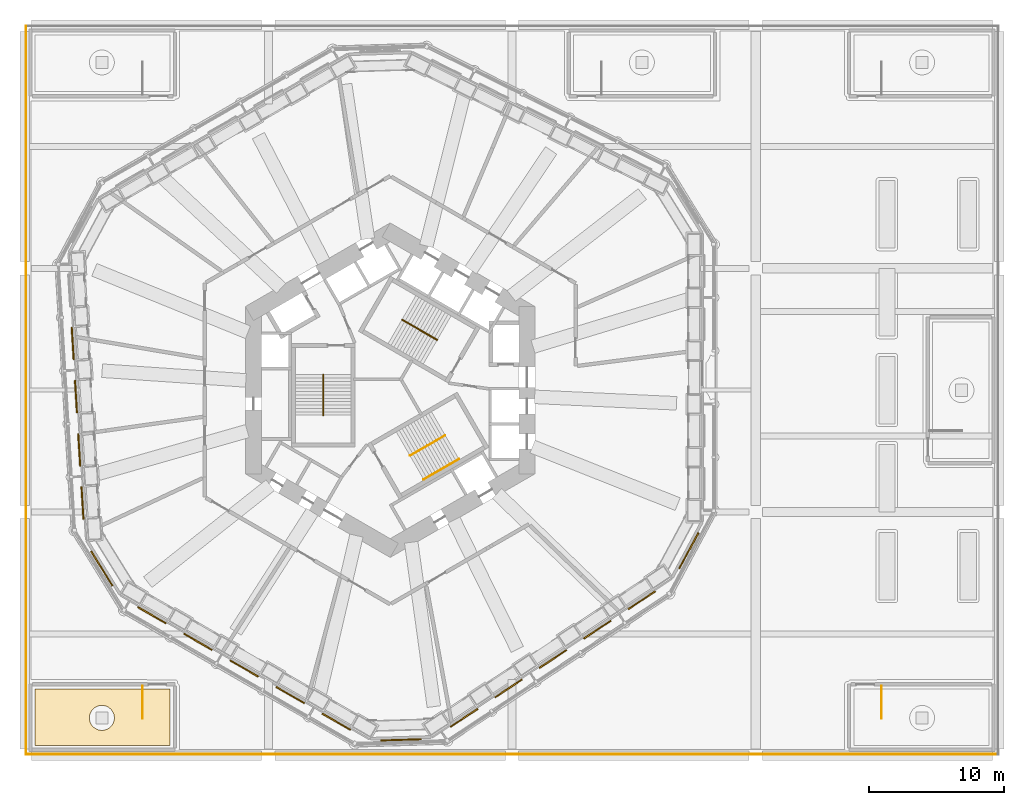
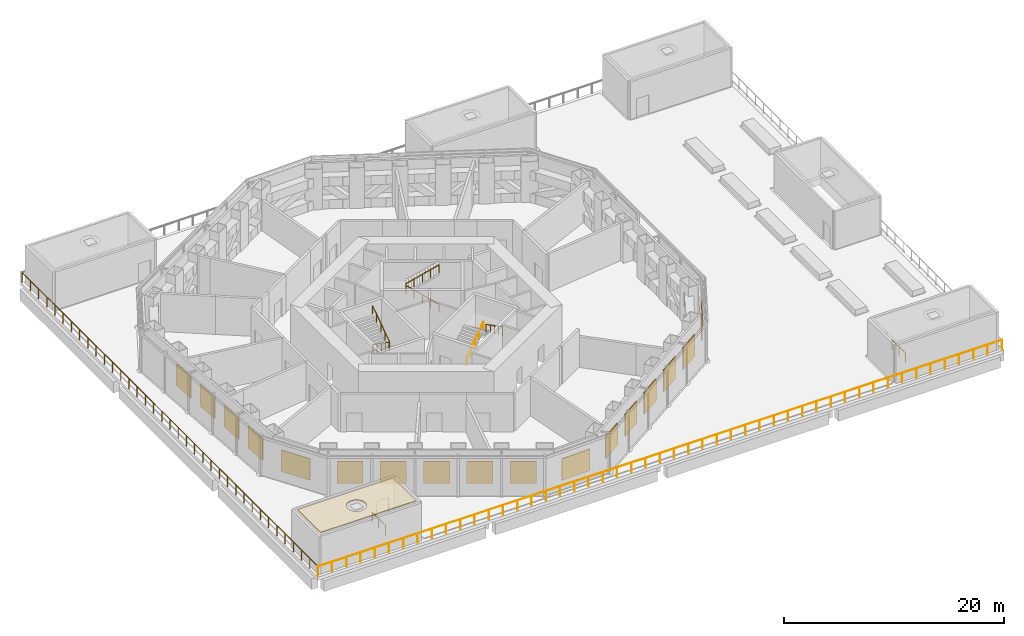
# One storey, part 17 of 20: 17 shading devices, 8 railings, 1 covering.
"""IFC4 building model written with IfcOpenShell, lengths in metres."""

from ifc_helpers import new_model, si_unit, direction, frame, origin, origin_2d, place, context, subcontext, project, spatial, polyline, rectangle, circle, outline, extrude, material, layer, layer_set, type_object, element, save


model = new_model("IFC4")

# Units and contexts
model_context = context("Model", 3, precision=1e-05, world=origin(), true_north=direction((0.0, 1.0)))
body_context = subcontext(model_context, "Body", "Model", "MODEL_VIEW")
ifc_project = project(units=[si_unit("LENGTHUNIT", "METRE"), si_unit("AREAUNIT", "SQUARE_METRE"), si_unit("VOLUMEUNIT", "CUBIC_METRE"), si_unit("PLANEANGLEUNIT", "RADIAN"), si_unit("MASSUNIT", "GRAM", prefix="KILO")], contexts=[model_context])

# Site, building, storey
site_placement = place(None, origin())
site = spatial("IfcSite", under=ifc_project, at=site_placement, CompositionType="ELEMENT")
building_placement = place(site_placement, origin())
building = spatial("IfcBuilding", under=site, at=building_placement, Name="Vanh Sen Convention Tower", CompositionType="ELEMENT")
storey_placement = place(building_placement, frame((0.0, 0.0, 34.5)))
storey = spatial("IfcBuildingStorey", under=building, at=storey_placement, Name="L05", CompositionType="ELEMENT", Elevation=34.5)

# Shading devices
ifc_material_1 = material(Name="Aluminium fixed louvre", Category="aluminium")
ifc_layer_1 = layer(ifc_material_1, 0.10009765625)
ifc_layer_set_1 = layer_set([ifc_layer_1], Name="Aluminium fixed louvre")
shading_device_type_1 = type_object("IfcShadingDeviceType", Name="Fixed louvre band 2400 x 2400", PredefinedType="USERDEFINED", material=ifc_layer_set_1)
for number, where, z_axis, x_axis, name in (
    (1, (-23.4541015625, 3.4462890625, 0.900146484375), (0.0, 0.0, 1.0), (0.061048539535, -0.998134798422, 0.0), "Fixed louvre band LV1-W2"),
    (2, (-23.2138671875, -0.480712890625, 0.900146484375), (0.0, 0.0, 1.0), (0.061048539535, -0.998134798422, 0.0), "Fixed louvre band LV1-W3"),
    (3, (-22.9736328125, -4.408203125, 0.900146484375), (0.0, 0.0, 1.0), (0.061048539535, -0.998134798422, 0.0), "Fixed louvre band LV1-W4"),
    (4, (-22.7333984375, -8.33544921875, 0.900146484375), (0.0, 0.0, 1.0), (0.061048539535, -0.998134798422, 0.0), "Fixed louvre band LV1-W5"),
    (5, (-17.603271484375, -16.625732421875, 0.900146484375), (0.0, 0.0, 1.0), (0.866027149108, -0.499996976998, 0.0), "Fixed louvre band LV1-SW1"),
    (6, (-14.19580078125, -18.593017578125, 0.900146484375), (0.0, 0.0, 1.0), (0.866027149108, -0.499996976998, 0.0), "Fixed louvre band LV1-SW2"),
    (7, (-10.788330078125, -20.560302734375, 0.900146484375), (0.0, 0.0, 1.0), (0.866027149108, -0.499996976998, 0.0), "Fixed louvre band LV1-SW3"),
    (8, (-7.380859375, -22.527587890625, 0.900146484375), (0.0, 0.0, 1.0), (0.866027149108, -0.499996976998, 0.0), "Fixed louvre band LV1-SW4"),
    (9, (-3.973388671875, -24.4951171875, 0.900146484375), (0.0, 0.0, 1.0), (0.866027149108, -0.499996976998, 0.0), "Fixed louvre band LV1-SW5"),
    (10, (5.46142578125, -24.206787109375, 0.900146484375), (0.0, 0.0, 1.0), (0.833885822067, 0.551936985312, 0.0), "Fixed louvre band LV1-SE1"),
    (11, (8.7421875, -22.03515625, 0.900146484375), (0.0, 0.0, 1.0), (0.833885822067, 0.551936985312, 0.0), "Fixed louvre band LV1-SE2"),
    (12, (12.023193359375, -19.863525390625, 0.900146484375), (0.0, 0.0, 1.0), (0.833885822067, 0.551936985312, 0.0), "Fixed louvre band LV1-SE3"),
    (13, (15.30419921875, -17.69189453125, 0.900146484375), (0.0, 0.0, 1.0), (0.833885822067, 0.551936985312, 0.0), "Fixed louvre band LV1-SE4"),
    (14, (18.585205078125, -15.520263671875, 0.900146484375), (0.0, 0.0, 1.0), (0.833885822067, 0.551936985312, 0.0), "Fixed louvre band LV1-SE5"),
):
    element("IfcShadingDevice", number, at=place(storey_placement, frame(where, z_axis=z_axis, x_axis=x_axis)), inside=storey, type_object=shading_device_type_1, Name=name, ObjectType="LOUVRE", PredefinedType="USERDEFINED", context=body_context, shape_type="SweptSolid", body=[
        extrude(rectangle(XDim=2.39990234375, YDim=0.10009765625, at=origin_2d()), origin(), (0.0, 0.0, 1.0), 2.39990234375),
    ])
ifc_layer_2 = layer(ifc_material_1, 0.10009765625)
ifc_layer_set_2 = layer_set([ifc_layer_2], Name="Aluminium fixed louvre")
shading_device_type_2 = type_object("IfcShadingDeviceType", Name="Fixed louvre band 3000 x 2400", PredefinedType="USERDEFINED", material=ifc_layer_set_2)
for number, where, z_axis, x_axis, name in (
    (15, (-21.302490234375, -13.182373046875, 0.900146484375), (0.0, 0.0, 1.0), (0.526215407796, -0.850351306578, 0.0), "Fixed louvre band LV2-CH41"),
    (16, (0.789306640625, -25.836181640625, 0.900146484375), (0.0, 0.0, 1.0), (0.999533644135, 0.030536768695, 0.0), "Fixed louvre band LV2-CH51"),
    (17, (22.0673828125, -11.857421875, 0.900146484375), (0.0, 0.0, 1.0), (0.47331812974, 0.880891564303, 0.0), "Fixed louvre band LV2-CH61"),
):
    element("IfcShadingDevice", number, at=place(storey_placement, frame(where, z_axis=z_axis, x_axis=x_axis)), inside=storey, type_object=shading_device_type_2, Name=name, ObjectType="LOUVRE", PredefinedType="USERDEFINED", context=body_context, shape_type="SweptSolid", body=[
        extrude(rectangle(XDim=3.0, YDim=0.10009765625, at=origin_2d()), origin(), (0.0, 0.0, 1.0), 2.39990234375),
    ])

# Railings
ifc_material_2 = material(Name="Stainless steel", Category="steel")
railing_type_1 = type_object("IfcRailingType", Name="Podium stair guard 1100", PredefinedType="GUARDRAIL", material=ifc_material_2)
for number, where, name in (
    (18, (36.300048828125, -21.85009765625, 0.0), "Guard PS2 L05"),
    (19, (-18.300048828125, -21.85009765625, 0.0), "Guard PS6 L05"),
):
    element("IfcRailing", number, at=place(storey_placement, frame(where)), inside=storey, type_object=railing_type_1, Name=name, PredefinedType="GUARDRAIL", context=body_context, shape_type="SweptSolid", body=[
        extrude(circle(Radius=0.02392578125, at=origin_2d()), frame((0.0, 0.0, 1.076171875), z_axis=(0.0, -1.0, 0.0), x_axis=(1.0, 0.0, 0.0)), (0.0, 0.0, 1.0), 2.39990234375),
        extrude(circle(Radius=0.02099609375, at=origin_2d()), origin(), (0.0, 0.0, 1.0), 1.052001953125),
        extrude(circle(Radius=0.02099609375, at=origin_2d()), frame((0.0, -1.199951171875, 0.0)), (0.0, 0.0, 1.0), 1.052001953125),
        extrude(circle(Radius=0.02099609375, at=origin_2d()), frame((0.0, -2.39990234375, 0.0)), (0.0, 0.0, 1.0), 1.052001953125),
    ])

# Covering
ifc_material_3 = material(Name="Bituminous roof membrane on rigid insulation")
ifc_layer_3 = layer(ifc_material_3, 0.090087890625)
ifc_layer_set_3 = layer_set([ifc_layer_3], Name="Bituminous roof membrane on rigid insulation")
covering_type = type_object("IfcCoveringType", Name="Roof membrane and insulation 90", PredefinedType="ROOFING", material=ifc_layer_set_3)
covering_placement = place(storey_placement, frame((0.0, 0.0, 4.199951171875)))
element("IfcCovering", 20, at=covering_placement, inside=storey, type_object=covering_type, Name="Roof covering RC1", PredefinedType="ROOFING", context=body_context, shape_type="SweptSolid", body=[
    extrude(outline(polyline([(-16.25, -22.074951171875), (-26.25, -22.074951171875), (-26.25, -26.25), (-16.25, -26.25), (-16.25, -22.074951171875)]), holes=[polyline([(-20.422607421875, -24.489013671875), (-20.4169921875, -24.47021484375), (-20.39990234375, -24.401611328125), (-20.39599609375, -24.38232421875), (-20.385498046875, -24.3125), (-20.3837890625, -24.29296875), (-20.380126953125, -24.222412109375), (-20.380126953125, -24.20263671875), (-20.3837890625, -24.132080078125), (-20.385498046875, -24.112548828125), (-20.39599609375, -24.042724609375), (-20.39990234375, -24.0234375), (-20.4169921875, -23.954833984375), (-20.422607421875, -23.93603515625), (-20.446533203125, -23.86962890625), (-20.4541015625, -23.8515625), (-20.484130859375, -23.78759765625), (-20.493408203125, -23.770263671875), (-20.52978515625, -23.709716796875), (-20.540771484375, -23.693359375), (-20.582763671875, -23.63671875), (-20.59521484375, -23.621337890625), (-20.642578125, -23.569091796875), (-20.656494140625, -23.55517578125), (-20.708984375, -23.5078125), (-20.72412109375, -23.495361328125), (-20.78076171875, -23.453125), (-20.797119140625, -23.4423828125), (-20.85791015625, -23.406005859375), (-20.875, -23.396728515625), (-20.93896484375, -23.366455078125), (-20.95703125, -23.35888671875), (-21.023681640625, -23.335205078125), (-21.04248046875, -23.32958984375), (-21.11083984375, -23.312255859375), (-21.130126953125, -23.30859375), (-21.2001953125, -23.298095703125), (-21.219482421875, -23.296142578125), (-21.290283203125, -23.292724609375), (-21.309814453125, -23.292724609375), (-21.38037109375, -23.296142578125), (-21.39990234375, -23.298095703125), (-21.4697265625, -23.30859375), (-21.489013671875, -23.312255859375), (-21.5576171875, -23.32958984375), (-21.576416015625, -23.335205078125), (-21.642822265625, -23.35888671875), (-21.660888671875, -23.366455078125), (-21.724853515625, -23.396728515625), (-21.7421875, -23.406005859375), (-21.802734375, -23.4423828125), (-21.819091796875, -23.453125), (-21.8759765625, -23.495361328125), (-21.89111328125, -23.5078125), (-21.943359375, -23.55517578125), (-21.957275390625, -23.569091796875), (-22.0048828125, -23.621337890625), (-22.01708984375, -23.63671875), (-22.059326171875, -23.693359375), (-22.0703125, -23.709716796875), (-22.1064453125, -23.770263671875), (-22.11572265625, -23.78759765625), (-22.14599609375, -23.8515625), (-22.153564453125, -23.86962890625), (-22.17724609375, -23.93603515625), (-22.18310546875, -23.954833984375), (-22.2001953125, -24.0234375), (-22.2041015625, -24.042724609375), (-22.21435546875, -24.112548828125), (-22.21630859375, -24.132080078125), (-22.2197265625, -24.20263671875), (-22.2197265625, -24.222412109375), (-22.21630859375, -24.29296875), (-22.21435546875, -24.3125), (-22.2041015625, -24.38232421875), (-22.2001953125, -24.401611328125), (-22.18310546875, -24.47021484375), (-22.17724609375, -24.489013671875), (-22.153564453125, -24.555419921875), (-22.14599609375, -24.573486328125), (-22.11572265625, -24.637451171875), (-22.1064453125, -24.65478515625), (-22.0703125, -24.71533203125), (-22.059326171875, -24.731689453125), (-22.01708984375, -24.788330078125), (-22.0048828125, -24.8037109375), (-21.957275390625, -24.85595703125), (-21.943359375, -24.869873046875), (-21.89111328125, -24.917236328125), (-21.8759765625, -24.9296875), (-21.819091796875, -24.9716796875), (-21.802734375, -24.982666015625), (-21.7421875, -25.01904296875), (-21.724853515625, -25.0283203125), (-21.660888671875, -25.05859375), (-21.642822265625, -25.06591796875), (-21.576416015625, -25.08984375), (-21.5576171875, -25.095458984375), (-21.489013671875, -25.11279296875), (-21.4697265625, -25.116455078125), (-21.39990234375, -25.126953125), (-21.38037109375, -25.12890625), (-21.309814453125, -25.13232421875), (-21.290283203125, -25.13232421875), (-21.219482421875, -25.12890625), (-21.2001953125, -25.126953125), (-21.130126953125, -25.116455078125), (-21.11083984375, -25.11279296875), (-21.04248046875, -25.095458984375), (-21.023681640625, -25.08984375), (-20.95703125, -25.06591796875), (-20.93896484375, -25.05859375), (-20.875, -25.0283203125), (-20.85791015625, -25.01904296875), (-20.797119140625, -24.982666015625), (-20.78076171875, -24.9716796875), (-20.72412109375, -24.9296875), (-20.708984375, -24.917236328125), (-20.656494140625, -24.869873046875), (-20.642578125, -24.85595703125), (-20.59521484375, -24.8037109375), (-20.582763671875, -24.788330078125), (-20.540771484375, -24.731689453125), (-20.52978515625, -24.71533203125), (-20.493408203125, -24.65478515625), (-20.484130859375, -24.637451171875), (-20.4541015625, -24.573486328125), (-20.446533203125, -24.555419921875), (-20.422607421875, -24.489013671875)])]), origin(), (0.0, 0.0, 1.0), 0.090087890625),
])

# Railings
ifc_material_4 = material(Name="Stainless steel handrail", Category="steel")
railing_type_2 = type_object("IfcRailingType", Name="Stair handrail 900", PredefinedType="HANDRAIL", material=ifc_material_4)
railing_1_placement = place(storey_placement, frame((3.45849609375, 3.690185546875, 0.173095703125)))
element("IfcRailing", 21, at=railing_1_placement, inside=storey, type_object=railing_type_2, Name="Stair handrail ST1 L05", PredefinedType="HANDRAIL", context=body_context, shape_type="SweptSolid", body=[
    extrude(circle(Radius=0.02392578125, at=origin_2d()), frame((0.0, 0.0, 0.8759765625), z_axis=(-0.712050641542, 0.41109181936, 0.569198910693), x_axis=(-0.499990139034, -0.866031096941, 0.0)), (0.0, 0.0, 1.0), 3.64892578125),
    extrude(circle(Radius=0.02392578125, at=origin_2d()), frame((-2.59814453125, 1.5, 2.95263671875), z_axis=(0.502959906984, 0.86430974307, 0.0), x_axis=(-0.86430974307, 0.502959906984, 0.0)), (0.0, 0.0, 1.0), 0.050048828125),
    extrude(circle(Radius=0.02392578125, at=origin_2d()), frame((-2.572998046875, 1.543212890625, 2.95263671875), z_axis=(0.0, 0.0, 1.0), x_axis=(1.0, 0.0, 0.0)), (0.0, 0.0, 1.0), 0.173095703125),
    extrude(circle(Radius=0.02392578125, at=origin_2d()), frame((-2.572998046875, 1.543212890625, 3.1259765625), z_axis=(0.712017653891, -0.411111405461, 0.569226029664), x_axis=(0.50002537861, 0.866010750942, 0.0)), (0.0, 0.0, 1.0), 3.648681640625),
    extrude(circle(Radius=0.02099609375, at=origin_2d()), origin(), (0.0, 0.0, 1.0), 0.851806640625),
    extrude(circle(Radius=0.02099609375, at=origin_2d()), frame((-0.6494140625, 0.375, 0.519287109375)), (0.0, 0.0, 1.0), 0.851806640625),
    extrude(circle(Radius=0.02099609375, at=origin_2d()), frame((-1.299072265625, 0.75, 1.03857421875)), (0.0, 0.0, 1.0), 0.851806640625),
    extrude(circle(Radius=0.02099609375, at=origin_2d()), frame((-1.94873046875, 1.125, 1.5576171875)), (0.0, 0.0, 1.0), 0.851806640625),
    extrude(circle(Radius=0.02099609375, at=origin_2d()), frame((-2.59814453125, 1.5, 2.076904296875)), (0.0, 0.0, 1.0), 0.851806640625),
    extrude(circle(Radius=0.02099609375, at=origin_2d()), frame((-2.572998046875, 1.543212890625, 2.076904296875)), (0.0, 0.0, 1.0), 0.851806640625),
    extrude(circle(Radius=0.02099609375, at=origin_2d()), frame((-2.572998046875, 1.543212890625, 2.25)), (0.0, 0.0, 1.0), 0.851806640625),
    extrude(circle(Radius=0.02099609375, at=origin_2d()), frame((-1.923583984375, 1.168212890625, 2.769287109375)), (0.0, 0.0, 1.0), 0.851806640625),
    extrude(circle(Radius=0.02099609375, at=origin_2d()), frame((-1.27392578125, 0.793212890625, 3.28857421875)), (0.0, 0.0, 1.0), 0.851806640625),
    extrude(circle(Radius=0.02099609375, at=origin_2d()), frame((-0.62451171875, 0.418212890625, 3.8076171875)), (0.0, 0.0, 1.0), 0.851806640625),
    extrude(circle(Radius=0.02099609375, at=origin_2d()), frame((0.02490234375, 0.043212890625, 4.326904296875)), (0.0, 0.0, 1.0), 0.851806640625),
])
railing_2_placement = place(storey_placement, frame((-4.925048828125, 1.14990234375, 0.173095703125)))
element("IfcRailing", 22, at=railing_2_placement, inside=storey, type_object=railing_type_2, Name="Stair handrail ST2 L05", PredefinedType="HANDRAIL", context=body_context, shape_type="SweptSolid", body=[
    extrude(circle(Radius=0.02392578125, at=origin_2d()), frame((0.0, 0.0, 0.8759765625), z_axis=(0.0, -0.82219460041, 0.569206499486), x_axis=(1.0, 0.0, 0.0)), (0.0, 0.0, 1.0), 3.648681640625),
    extrude(circle(Radius=0.02392578125, at=origin_2d()), frame((0.0, -3.0, 2.95263671875), z_axis=(-1.0, 0.0, 0.0), x_axis=(0.0, -1.0, 0.0)), (0.0, 0.0, 1.0), 0.050048828125),
    extrude(circle(Radius=0.02392578125, at=origin_2d()), frame((-0.050048828125, -3.0, 2.95263671875), z_axis=(0.0, 0.0, 1.0), x_axis=(1.0, 0.0, 0.0)), (0.0, 0.0, 1.0), 0.173095703125),
    extrude(circle(Radius=0.02392578125, at=origin_2d()), frame((-0.050048828125, -3.0, 3.1259765625), z_axis=(0.0, 0.82219460041, 0.569206499486), x_axis=(-1.0, 0.0, 0.0)), (0.0, 0.0, 1.0), 3.648681640625),
    extrude(circle(Radius=0.02099609375, at=origin_2d()), origin(), (0.0, 0.0, 1.0), 0.851806640625),
    extrude(circle(Radius=0.02099609375, at=origin_2d()), frame((0.0, -0.75, 0.519287109375)), (0.0, 0.0, 1.0), 0.851806640625),
    extrude(circle(Radius=0.02099609375, at=origin_2d()), frame((0.0, -1.5, 1.03857421875)), (0.0, 0.0, 1.0), 0.851806640625),
    extrude(circle(Radius=0.02099609375, at=origin_2d()), frame((0.0, -2.25, 1.5576171875)), (0.0, 0.0, 1.0), 0.851806640625),
    extrude(circle(Radius=0.02099609375, at=origin_2d()), frame((0.0, -3.0, 2.076904296875)), (0.0, 0.0, 1.0), 0.851806640625),
    extrude(circle(Radius=0.02099609375, at=origin_2d()), frame((-0.050048828125, -3.0, 2.076904296875)), (0.0, 0.0, 1.0), 0.851806640625),
    extrude(circle(Radius=0.02099609375, at=origin_2d()), frame((-0.050048828125, -3.0, 2.25)), (0.0, 0.0, 1.0), 0.851806640625),
    extrude(circle(Radius=0.02099609375, at=origin_2d()), frame((-0.050048828125, -2.25, 2.769287109375)), (0.0, 0.0, 1.0), 0.851806640625),
    extrude(circle(Radius=0.02099609375, at=origin_2d()), frame((-0.050048828125, -1.5, 3.28857421875)), (0.0, 0.0, 1.0), 0.851806640625),
    extrude(circle(Radius=0.02099609375, at=origin_2d()), frame((-0.050048828125, -0.75, 3.8076171875)), (0.0, 0.0, 1.0), 0.851806640625),
    extrude(circle(Radius=0.02099609375, at=origin_2d()), frame((-0.050048828125, 0.0, 4.326904296875)), (0.0, 0.0, 1.0), 0.851806640625),
])
railing_3_placement = place(storey_placement, frame((1.466552734375, -4.840087890625, 0.173095703125)))
element("IfcRailing", 23, at=railing_3_placement, inside=storey, type_object=railing_type_2, Name="Stair handrail ST3 L05", PredefinedType="HANDRAIL", context=body_context, shape_type="SweptSolid", body=[
    extrude(circle(Radius=0.02392578125, at=origin_2d()), frame((0.0, 0.0, 0.8759765625), z_axis=(0.712050641542, 0.41109181936, 0.569198910693), x_axis=(-0.499990139034, 0.866031096941, 0.0)), (0.0, 0.0, 1.0), 3.64892578125),
    extrude(circle(Radius=0.02099609375, at=origin_2d()), origin(), (0.0, 0.0, 1.0), 0.851806640625),
    extrude(circle(Radius=0.02099609375, at=origin_2d()), frame((0.6494140625, 0.375, 0.519287109375)), (0.0, 0.0, 1.0), 0.851806640625),
    extrude(circle(Radius=0.02099609375, at=origin_2d()), frame((1.299072265625, 0.75, 1.03857421875)), (0.0, 0.0, 1.0), 0.851806640625),
    extrude(circle(Radius=0.02099609375, at=origin_2d()), frame((1.94873046875, 1.125, 1.5576171875)), (0.0, 0.0, 1.0), 0.851806640625),
    extrude(circle(Radius=0.02099609375, at=origin_2d()), frame((2.59814453125, 1.5, 2.076904296875)), (0.0, 0.0, 1.0), 0.851806640625),
])
railing_4_placement = place(storey_placement, frame((5.0771484375, -5.093994140625, 2.25)))
element("IfcRailing", 24, at=railing_4_placement, inside=storey, type_object=railing_type_2, Name="Stair wall handrail ST3 L05", PredefinedType="HANDRAIL", context=body_context, shape_type="SweptSolid", body=[
    extrude(circle(Radius=0.02392578125, at=origin_2d()), frame((0.0, 0.0, 0.8759765625), z_axis=(0.0, 0.0, 1.0), x_axis=(1.0, 0.0, 0.0)), (0.0, 0.0, 1.0), 0.173095703125),
    extrude(circle(Radius=0.02392578125, at=origin_2d()), frame((0.0, 0.0, 1.048828125), z_axis=(-0.712050641542, -0.41109181936, 0.569198910693), x_axis=(0.499990139034, -0.866031096941, 0.0)), (0.0, 0.0, 1.0), 3.64892578125),
    extrude(circle(Radius=0.02099609375, at=origin_2d()), origin(), (0.0, 0.0, 1.0), 0.851806640625),
    extrude(circle(Radius=0.02099609375, at=origin_2d()), frame((0.0, 0.0, 0.173095703125)), (0.0, 0.0, 1.0), 0.851806640625),
    extrude(circle(Radius=0.02099609375, at=origin_2d()), frame((-0.6494140625, -0.375, 0.6923828125)), (0.0, 0.0, 1.0), 0.851806640625),
    extrude(circle(Radius=0.02099609375, at=origin_2d()), frame((-1.299072265625, -0.75, 1.21142578125)), (0.0, 0.0, 1.0), 0.851806640625),
    extrude(circle(Radius=0.02099609375, at=origin_2d()), frame((-1.94873046875, -1.125, 1.730712890625)), (0.0, 0.0, 1.0), 0.851806640625),
    extrude(circle(Radius=0.02099609375, at=origin_2d()), frame((-2.59814453125, -1.5, 2.25)), (0.0, 0.0, 1.0), 0.851806640625),
])
ifc_material_5 = material(Name="Stainless steel posts with toughened glass infill", Category="steel")
railing_type_3 = type_object("IfcRailingType", Name="Terrace guard 1150", PredefinedType="GUARDRAIL", material=ifc_material_5)
railing_5_placement = place(storey_placement, frame((-26.89990234375, -26.89990234375, 0.0)))
element("IfcRailing", 25, at=railing_5_placement, inside=storey, type_object=railing_type_3, Name="Terrace guard S L05", PredefinedType="GUARDRAIL", context=body_context, shape_type="SweptSolid", body=[
    extrude(circle(Radius=0.02392578125, at=origin_2d()), frame((0.0, 0.0, 1.1259765625), z_axis=(1.0, 0.0, 0.0), x_axis=(0.0, 1.0, 0.0)), (0.0, 0.0, 1.0), 71.7998046875),
    extrude(circle(Radius=0.02099609375, at=origin_2d()), origin(), (0.0, 0.0, 1.0), 1.101806640625),
    extrude(circle(Radius=0.02099609375, at=origin_2d()), frame((1.495849609375, 0.0, 0.0)), (0.0, 0.0, 1.0), 1.101806640625),
    extrude(circle(Radius=0.02099609375, at=origin_2d()), frame((2.99169921875, 0.0, 0.0)), (0.0, 0.0, 1.0), 1.101806640625),
    extrude(circle(Radius=0.02099609375, at=origin_2d()), frame((4.487548828125, 0.0, 0.0)), (0.0, 0.0, 1.0), 1.101806640625),
    extrude(circle(Radius=0.02099609375, at=origin_2d()), frame((5.9833984375, 0.0, 0.0)), (0.0, 0.0, 1.0), 1.101806640625),
    extrude(circle(Radius=0.02099609375, at=origin_2d()), frame((7.479248046875, 0.0, 0.0)), (0.0, 0.0, 1.0), 1.101806640625),
    extrude(circle(Radius=0.02099609375, at=origin_2d()), frame((8.97509765625, 0.0, 0.0)), (0.0, 0.0, 1.0), 1.101806640625),
    extrude(circle(Radius=0.02099609375, at=origin_2d()), frame((10.470703125, 0.0, 0.0)), (0.0, 0.0, 1.0), 1.101806640625),
    extrude(circle(Radius=0.02099609375, at=origin_2d()), frame((11.966552734375, 0.0, 0.0)), (0.0, 0.0, 1.0), 1.101806640625),
    extrude(circle(Radius=0.02099609375, at=origin_2d()), frame((13.46240234375, 0.0, 0.0)), (0.0, 0.0, 1.0), 1.101806640625),
    extrude(circle(Radius=0.02099609375, at=origin_2d()), frame((14.958251953125, 0.0, 0.0)), (0.0, 0.0, 1.0), 1.101806640625),
    extrude(circle(Radius=0.02099609375, at=origin_2d()), frame((16.4541015625, 0.0, 0.0)), (0.0, 0.0, 1.0), 1.101806640625),
    extrude(circle(Radius=0.02099609375, at=origin_2d()), frame((17.949951171875, 0.0, 0.0)), (0.0, 0.0, 1.0), 1.101806640625),
    extrude(circle(Radius=0.02099609375, at=origin_2d()), frame((19.44580078125, 0.0, 0.0)), (0.0, 0.0, 1.0), 1.101806640625),
    extrude(circle(Radius=0.02099609375, at=origin_2d()), frame((20.941650390625, 0.0, 0.0)), (0.0, 0.0, 1.0), 1.101806640625),
    extrude(circle(Radius=0.02099609375, at=origin_2d()), frame((22.4375, 0.0, 0.0)), (0.0, 0.0, 1.0), 1.101806640625),
    extrude(circle(Radius=0.02099609375, at=origin_2d()), frame((23.933349609375, 0.0, 0.0)), (0.0, 0.0, 1.0), 1.101806640625),
    extrude(circle(Radius=0.02099609375, at=origin_2d()), frame((25.42919921875, 0.0, 0.0)), (0.0, 0.0, 1.0), 1.101806640625),
    extrude(circle(Radius=0.02099609375, at=origin_2d()), frame((26.9248046875, 0.0, 0.0)), (0.0, 0.0, 1.0), 1.101806640625),
    extrude(circle(Radius=0.02099609375, at=origin_2d()), frame((28.420654296875, 0.0, 0.0)), (0.0, 0.0, 1.0), 1.101806640625),
    extrude(circle(Radius=0.02099609375, at=origin_2d()), frame((29.91650390625, 0.0, 0.0)), (0.0, 0.0, 1.0), 1.101806640625),
    extrude(circle(Radius=0.02099609375, at=origin_2d()), frame((31.412353515625, 0.0, 0.0)), (0.0, 0.0, 1.0), 1.101806640625),
    extrude(circle(Radius=0.02099609375, at=origin_2d()), frame((32.908203125, 0.0, 0.0)), (0.0, 0.0, 1.0), 1.101806640625),
    extrude(circle(Radius=0.02099609375, at=origin_2d()), frame((34.404052734375, 0.0, 0.0)), (0.0, 0.0, 1.0), 1.101806640625),
    extrude(circle(Radius=0.02099609375, at=origin_2d()), frame((35.89990234375, 0.0, 0.0)), (0.0, 0.0, 1.0), 1.101806640625),
    extrude(circle(Radius=0.02099609375, at=origin_2d()), frame((37.395751953125, 0.0, 0.0)), (0.0, 0.0, 1.0), 1.101806640625),
    extrude(circle(Radius=0.02099609375, at=origin_2d()), frame((38.8916015625, 0.0, 0.0)), (0.0, 0.0, 1.0), 1.101806640625),
    extrude(circle(Radius=0.02099609375, at=origin_2d()), frame((40.387451171875, 0.0, 0.0)), (0.0, 0.0, 1.0), 1.101806640625),
    extrude(circle(Radius=0.02099609375, at=origin_2d()), frame((41.88330078125, 0.0, 0.0)), (0.0, 0.0, 1.0), 1.101806640625),
    extrude(circle(Radius=0.02099609375, at=origin_2d()), frame((43.379150390625, 0.0, 0.0)), (0.0, 0.0, 1.0), 1.101806640625),
    extrude(circle(Radius=0.02099609375, at=origin_2d()), frame((44.875, 0.0, 0.0)), (0.0, 0.0, 1.0), 1.101806640625),
    extrude(circle(Radius=0.02099609375, at=origin_2d()), frame((46.37060546875, 0.0, 0.0)), (0.0, 0.0, 1.0), 1.101806640625),
    extrude(circle(Radius=0.02099609375, at=origin_2d()), frame((47.866455078125, 0.0, 0.0)), (0.0, 0.0, 1.0), 1.101806640625),
    extrude(circle(Radius=0.02099609375, at=origin_2d()), frame((49.3623046875, 0.0, 0.0)), (0.0, 0.0, 1.0), 1.101806640625),
    extrude(circle(Radius=0.02099609375, at=origin_2d()), frame((50.858154296875, 0.0, 0.0)), (0.0, 0.0, 1.0), 1.101806640625),
    extrude(circle(Radius=0.02099609375, at=origin_2d()), frame((52.35400390625, 0.0, 0.0)), (0.0, 0.0, 1.0), 1.101806640625),
    extrude(circle(Radius=0.02099609375, at=origin_2d()), frame((53.849853515625, 0.0, 0.0)), (0.0, 0.0, 1.0), 1.101806640625),
    extrude(circle(Radius=0.02099609375, at=origin_2d()), frame((55.345703125, 0.0, 0.0)), (0.0, 0.0, 1.0), 1.101806640625),
    extrude(circle(Radius=0.02099609375, at=origin_2d()), frame((56.841552734375, 0.0, 0.0)), (0.0, 0.0, 1.0), 1.101806640625),
    extrude(circle(Radius=0.02099609375, at=origin_2d()), frame((58.33740234375, 0.0, 0.0)), (0.0, 0.0, 1.0), 1.101806640625),
    extrude(circle(Radius=0.02099609375, at=origin_2d()), frame((59.833251953125, 0.0, 0.0)), (0.0, 0.0, 1.0), 1.101806640625),
    extrude(circle(Radius=0.02099609375, at=origin_2d()), frame((61.3291015625, 0.0, 0.0)), (0.0, 0.0, 1.0), 1.101806640625),
    extrude(circle(Radius=0.02099609375, at=origin_2d()), frame((62.82470703125, 0.0, 0.0)), (0.0, 0.0, 1.0), 1.101806640625),
    extrude(circle(Radius=0.02099609375, at=origin_2d()), frame((64.320556640625, 0.0, 0.0)), (0.0, 0.0, 1.0), 1.101806640625),
    extrude(circle(Radius=0.02099609375, at=origin_2d()), frame((65.81640625, 0.0, 0.0)), (0.0, 0.0, 1.0), 1.101806640625),
    extrude(circle(Radius=0.02099609375, at=origin_2d()), frame((67.312255859375, 0.0, 0.0)), (0.0, 0.0, 1.0), 1.101806640625),
    extrude(circle(Radius=0.02099609375, at=origin_2d()), frame((68.80810546875, 0.0, 0.0)), (0.0, 0.0, 1.0), 1.101806640625),
    extrude(circle(Radius=0.02099609375, at=origin_2d()), frame((70.303955078125, 0.0, 0.0)), (0.0, 0.0, 1.0), 1.101806640625),
    extrude(circle(Radius=0.02099609375, at=origin_2d()), frame((71.7998046875, 0.0, 0.0)), (0.0, 0.0, 1.0), 1.101806640625),
])
railing_6_placement = place(storey_placement, frame((-26.89990234375, 26.89990234375, 0.0)))
element("IfcRailing", 26, at=railing_6_placement, inside=storey, type_object=railing_type_3, Name="Terrace guard W L05", PredefinedType="GUARDRAIL", context=body_context, shape_type="SweptSolid", body=[
    extrude(circle(Radius=0.02392578125, at=origin_2d()), frame((0.0, 0.0, 1.1259765625), z_axis=(0.0, -1.0, 0.0), x_axis=(1.0, 0.0, 0.0)), (0.0, 0.0, 1.0), 53.7998046875),
    extrude(circle(Radius=0.02099609375, at=origin_2d()), origin(), (0.0, 0.0, 1.0), 1.101806640625),
    extrude(circle(Radius=0.02099609375, at=origin_2d()), frame((0.0, -1.494384765625, 0.0)), (0.0, 0.0, 1.0), 1.101806640625),
    extrude(circle(Radius=0.02099609375, at=origin_2d()), frame((0.0, -2.98876953125, 0.0)), (0.0, 0.0, 1.0), 1.101806640625),
    extrude(circle(Radius=0.02099609375, at=origin_2d()), frame((0.0, -4.4833984375, 0.0)), (0.0, 0.0, 1.0), 1.101806640625),
    extrude(circle(Radius=0.02099609375, at=origin_2d()), frame((0.0, -5.977783203125, 0.0)), (0.0, 0.0, 1.0), 1.101806640625),
    extrude(circle(Radius=0.02099609375, at=origin_2d()), frame((0.0, -7.47216796875, 0.0)), (0.0, 0.0, 1.0), 1.101806640625),
    extrude(circle(Radius=0.02099609375, at=origin_2d()), frame((0.0, -8.966552734375, 0.0)), (0.0, 0.0, 1.0), 1.101806640625),
    extrude(circle(Radius=0.02099609375, at=origin_2d()), frame((0.0, -10.461181640625, 0.0)), (0.0, 0.0, 1.0), 1.101806640625),
    extrude(circle(Radius=0.02099609375, at=origin_2d()), frame((0.0, -11.95556640625, 0.0)), (0.0, 0.0, 1.0), 1.101806640625),
    extrude(circle(Radius=0.02099609375, at=origin_2d()), frame((0.0, -13.449951171875, 0.0)), (0.0, 0.0, 1.0), 1.101806640625),
    extrude(circle(Radius=0.02099609375, at=origin_2d()), frame((0.0, -14.9443359375, 0.0)), (0.0, 0.0, 1.0), 1.101806640625),
    extrude(circle(Radius=0.02099609375, at=origin_2d()), frame((0.0, -16.438720703125, 0.0)), (0.0, 0.0, 1.0), 1.101806640625),
    extrude(circle(Radius=0.02099609375, at=origin_2d()), frame((0.0, -17.933349609375, 0.0)), (0.0, 0.0, 1.0), 1.101806640625),
    extrude(circle(Radius=0.02099609375, at=origin_2d()), frame((0.0, -19.427734375, 0.0)), (0.0, 0.0, 1.0), 1.101806640625),
    extrude(circle(Radius=0.02099609375, at=origin_2d()), frame((0.0, -20.922119140625, 0.0)), (0.0, 0.0, 1.0), 1.101806640625),
    extrude(circle(Radius=0.02099609375, at=origin_2d()), frame((0.0, -22.41650390625, 0.0)), (0.0, 0.0, 1.0), 1.101806640625),
    extrude(circle(Radius=0.02099609375, at=origin_2d()), frame((0.0, -23.9111328125, 0.0)), (0.0, 0.0, 1.0), 1.101806640625),
    extrude(circle(Radius=0.02099609375, at=origin_2d()), frame((0.0, -25.405517578125, 0.0)), (0.0, 0.0, 1.0), 1.101806640625),
    extrude(circle(Radius=0.02099609375, at=origin_2d()), frame((0.0, -26.89990234375, 0.0)), (0.0, 0.0, 1.0), 1.101806640625),
    extrude(circle(Radius=0.02099609375, at=origin_2d()), frame((0.0, -28.394287109375, 0.0)), (0.0, 0.0, 1.0), 1.101806640625),
    extrude(circle(Radius=0.02099609375, at=origin_2d()), frame((0.0, -29.888671875, 0.0)), (0.0, 0.0, 1.0), 1.101806640625),
    extrude(circle(Radius=0.02099609375, at=origin_2d()), frame((0.0, -31.38330078125, 0.0)), (0.0, 0.0, 1.0), 1.101806640625),
    extrude(circle(Radius=0.02099609375, at=origin_2d()), frame((0.0, -32.877685546875, 0.0)), (0.0, 0.0, 1.0), 1.101806640625),
    extrude(circle(Radius=0.02099609375, at=origin_2d()), frame((0.0, -34.3720703125, 0.0)), (0.0, 0.0, 1.0), 1.101806640625),
    extrude(circle(Radius=0.02099609375, at=origin_2d()), frame((0.0, -35.866455078125, 0.0)), (0.0, 0.0, 1.0), 1.101806640625),
    extrude(circle(Radius=0.02099609375, at=origin_2d()), frame((0.0, -37.361083984375, 0.0)), (0.0, 0.0, 1.0), 1.101806640625),
    extrude(circle(Radius=0.02099609375, at=origin_2d()), frame((0.0, -38.85546875, 0.0)), (0.0, 0.0, 1.0), 1.101806640625),
    extrude(circle(Radius=0.02099609375, at=origin_2d()), frame((0.0, -40.349853515625, 0.0)), (0.0, 0.0, 1.0), 1.101806640625),
    extrude(circle(Radius=0.02099609375, at=origin_2d()), frame((0.0, -41.84423828125, 0.0)), (0.0, 0.0, 1.0), 1.101806640625),
    extrude(circle(Radius=0.02099609375, at=origin_2d()), frame((0.0, -43.338623046875, 0.0)), (0.0, 0.0, 1.0), 1.101806640625),
    extrude(circle(Radius=0.02099609375, at=origin_2d()), frame((0.0, -44.833251953125, 0.0)), (0.0, 0.0, 1.0), 1.101806640625),
    extrude(circle(Radius=0.02099609375, at=origin_2d()), frame((0.0, -46.32763671875, 0.0)), (0.0, 0.0, 1.0), 1.101806640625),
    extrude(circle(Radius=0.02099609375, at=origin_2d()), frame((0.0, -47.822021484375, 0.0)), (0.0, 0.0, 1.0), 1.101806640625),
    extrude(circle(Radius=0.02099609375, at=origin_2d()), frame((0.0, -49.31640625, 0.0)), (0.0, 0.0, 1.0), 1.101806640625),
    extrude(circle(Radius=0.02099609375, at=origin_2d()), frame((0.0, -50.81103515625, 0.0)), (0.0, 0.0, 1.0), 1.101806640625),
    extrude(circle(Radius=0.02099609375, at=origin_2d()), frame((0.0, -52.305419921875, 0.0)), (0.0, 0.0, 1.0), 1.101806640625),
    extrude(circle(Radius=0.02099609375, at=origin_2d()), frame((0.0, -53.7998046875, 0.0)), (0.0, 0.0, 1.0), 1.101806640625),
])

save(model, "model.ifc")
